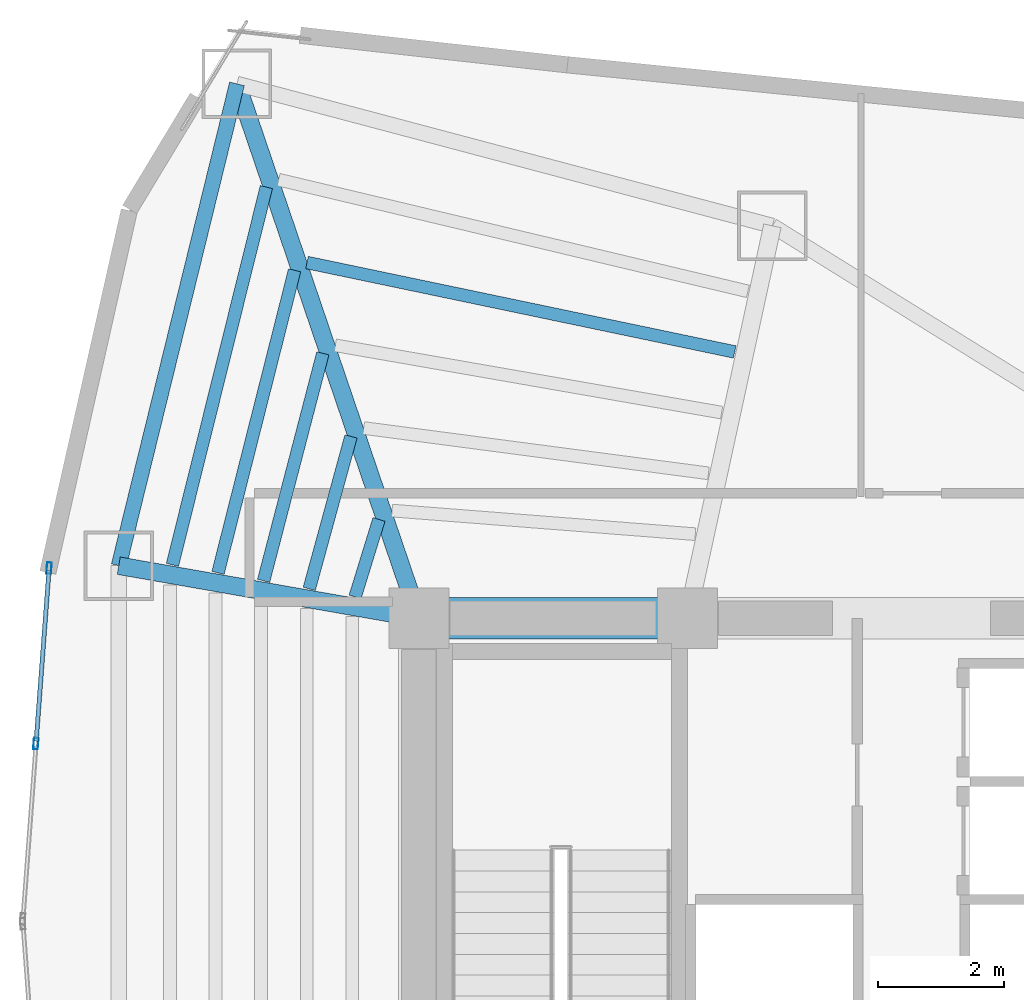
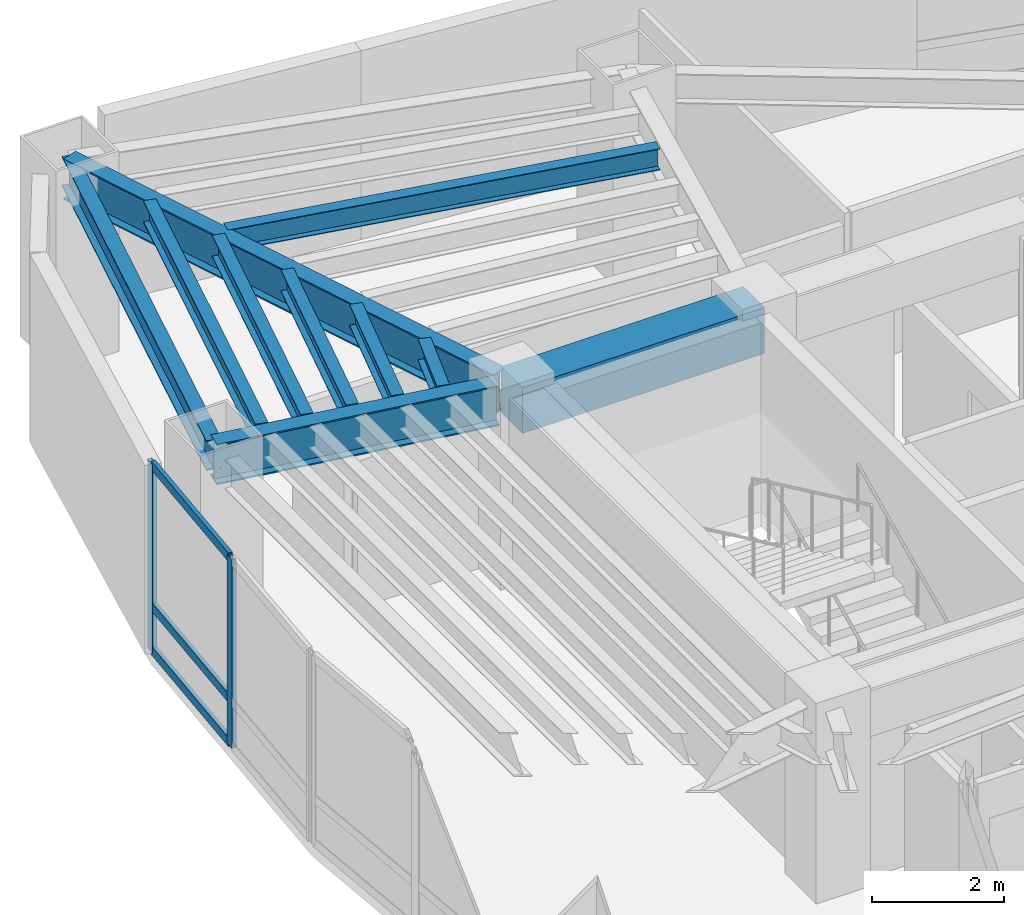
# One storey, part 7 of 17: 10 beams, 5 members, 1 element without a shape of its own.
"""IFC4 building model written with IfcOpenShell, lengths in metres."""

from ifc_helpers import new_model, si_unit, direction, frame, origin, origin_2d, place, context, subcontext, project, spatial, rectangle, hollow_rectangle, i_section, extrude, material, layer, layer_set, material_profile, profile_set, type_object, element, aggregate, save


model = new_model("IFC4")

# Units and contexts
model_context = context("Model", 3, precision=1e-05, world=origin(), true_north=direction((0.0, 1.0)))
body_context = subcontext(model_context, "Body", "Model", "MODEL_VIEW")
ifc_project = project(units=[si_unit("LENGTHUNIT", "METRE"), si_unit("AREAUNIT", "SQUARE_METRE"), si_unit("VOLUMEUNIT", "CUBIC_METRE"), si_unit("PLANEANGLEUNIT", "RADIAN"), si_unit("MASSUNIT", "GRAM", prefix="KILO")], contexts=[model_context])

# Site, building, storey
site_placement = place(None, origin())
site = spatial("IfcSite", under=ifc_project, at=site_placement, CompositionType="ELEMENT")
building_placement = place(site_placement, origin())
building = spatial("IfcBuilding", under=site, at=building_placement, Name="Menara Vayukalpa", CompositionType="ELEMENT")
storey_placement = place(building_placement, frame((0.0, 0.0, 154.320068359375)))
storey = spatial("IfcBuildingStorey", under=building, at=storey_placement, Name="L38", CompositionType="ELEMENT", Elevation=154.320068359375)

# Beams
ifc_material_1 = material(Name="Concrete C60/75", Category="concrete")
ifc_material_profile_1 = material_profile(ifc_material_1, rectangle(XDim=0.64990234375, YDim=0.85009765625, at=origin_2d()), Name="RC 650x850")
ifc_profile_set_1 = profile_set([ifc_material_profile_1], Name="Concrete C60/75")
beam_type_1 = type_object("IfcBeamType", Name="BM-CB1", PredefinedType="BEAM", material=ifc_profile_set_1)
beam_1_placement = place(storey_placement, frame((17.800048828125, 26.800048828125, 3.074951171875), z_axis=(1.0, 0.0, 0.0), x_axis=(0.0, 1.0, 0.0)))
element("IfcBeam", 1, at=beam_1_placement, inside=storey, type_object=beam_type_1, Name="L38 Core Tie Beam CBR4", PredefinedType="BEAM", context=body_context, shape_type="SweptSolid", body=[
    extrude(rectangle(XDim=0.64990234375, YDim=0.85009765625, at=origin_2d()), origin(), (0.0, 0.0, 1.0), 4.25),
])
ifc_material_2 = material(Name="Steel S355", Category="steel")
ifc_material_profile_2 = material_profile(ifc_material_2, i_section(OverallWidth=0.280029296875, OverallDepth=0.75, WebThickness=0.013916015625, FlangeThickness=0.02490234375, at=origin_2d()), Name="WF 750x280x14x25")
ifc_profile_set_2 = profile_set([ifc_material_profile_2], Name="Steel S355")
beam_type_2 = type_object("IfcBeamType", Name="BM-PG4", PredefinedType="BEAM", material=ifc_profile_set_2)
beam_2_placement = place(storey_placement, frame((17.719482421875, 27.03662109375, 3.125), z_axis=(-0.322207533072, 0.946669058136, 0.0), x_axis=(-0.946669058136, -0.322207533072, 0.0)))
element("IfcBeam", 2, at=beam_2_placement, inside=storey, type_object=beam_type_2, Name="L38 Primary Radial Girder RG04", PredefinedType="BEAM", context=body_context, shape_type="SweptSolid", body=[
    extrude(i_section(OverallWidth=0.280029296875, OverallDepth=0.75, WebThickness=0.013916015625, FlangeThickness=0.02490234375, at=origin_2d()), origin(), (0.0, 0.0, 1.0), 8.687255859375),
])
beam_3_placement = place(storey_placement, frame((17.5537109375, 26.843017578125, 3.125), z_axis=(-0.985011651805, 0.172487813505, 0.0), x_axis=(-0.172487813505, -0.985011651805, 0.0)))
element("IfcBeam", 3, at=beam_3_placement, inside=storey, type_object=beam_type_2, Name="L38 Primary Radial Girder RG05", PredefinedType="BEAM", context=body_context, shape_type="SweptSolid", body=[
    extrude(i_section(OverallWidth=0.280029296875, OverallDepth=0.75, WebThickness=0.013916015625, FlangeThickness=0.02490234375, at=origin_2d()), origin(), (0.0, 0.0, 1.0), 4.5732421875),
])
ifc_material_3 = material(Name="Steel S355", Category="steel")
ifc_material_profile_3 = material_profile(ifc_material_3, i_section(OverallWidth=0.199951171875, OverallDepth=0.39990234375, WebThickness=0.008056640625, FlangeThickness=0.012939453125, at=origin_2d()), Name="WF 400x200x8x13")
ifc_profile_set_3 = profile_set([ifc_material_profile_3], Name="Steel S355")
beam_type_3 = type_object("IfcBeamType", Name="BM-SJ2", PredefinedType="JOIST", material=ifc_profile_set_3)
beam_4_placement = place(storey_placement, frame((22.80029296875, 31.015625, 3.300048828125), z_axis=(-0.97882747282, 0.204687025611, 0.0), x_axis=(-0.204687025611, -0.97882747282, 0.0)))
element("IfcBeam", 4, at=beam_4_placement, inside=storey, type_object=beam_type_3, Name="L38 Secondary Floor Joist SJ03-4", PredefinedType="JOIST", context=body_context, shape_type="SweptSolid", body=[
    extrude(i_section(OverallWidth=0.199951171875, OverallDepth=0.39990234375, WebThickness=0.008056640625, FlangeThickness=0.012939453125, at=origin_2d()), origin(), (0.0, 0.0, 1.0), 6.91796875),
])
beam_5_placement = place(storey_placement, frame((17.16845703125, 28.364013671875, 3.300048828125), z_axis=(-0.294914687622, -0.955523587896, 0.0), x_axis=(0.955523587896, -0.294914687622, 0.0)))
element("IfcBeam", 5, at=beam_5_placement, inside=storey, type_object=beam_type_3, Name="L38 Secondary Floor Joist SJ04-1", PredefinedType="JOIST", context=body_context, shape_type="SweptSolid", body=[
    extrude(i_section(OverallWidth=0.199951171875, OverallDepth=0.39990234375, WebThickness=0.008056640625, FlangeThickness=0.012939453125, at=origin_2d()), origin(), (0.0, 0.0, 1.0), 1.283203125),
])
beam_6_placement = place(storey_placement, frame((16.7255859375, 29.678466796875, 3.300048828125), z_axis=(-0.264264990211, -0.96445011014, 0.0), x_axis=(0.96445011014, -0.264264990211, 0.0)))
element("IfcBeam", 6, at=beam_6_placement, inside=storey, type_object=beam_type_3, Name="L38 Secondary Floor Joist SJ04-2", PredefinedType="JOIST", context=body_context, shape_type="SweptSolid", body=[
    extrude(i_section(OverallWidth=0.199951171875, OverallDepth=0.39990234375, WebThickness=0.008056640625, FlangeThickness=0.012939453125, at=origin_2d()), origin(), (0.0, 0.0, 1.0), 2.501708984375),
])
beam_7_placement = place(storey_placement, frame((16.27978515625, 30.993896484375, 3.300048828125), z_axis=(-0.25203199701, -0.967718901584, 0.0), x_axis=(0.967718901584, -0.25203199701, 0.0)))
element("IfcBeam", 7, at=beam_7_placement, inside=storey, type_object=beam_type_3, Name="L38 Secondary Floor Joist SJ04-3", PredefinedType="JOIST", context=body_context, shape_type="SweptSolid", body=[
    extrude(i_section(OverallWidth=0.199951171875, OverallDepth=0.39990234375, WebThickness=0.008056640625, FlangeThickness=0.012939453125, at=origin_2d()), origin(), (0.0, 0.0, 1.0), 3.7216796875),
])
beam_8_placement = place(storey_placement, frame((15.8330078125, 32.309326171875, 3.300048828125), z_axis=(-0.245487100754, -0.969399857315, 0.0), x_axis=(0.969399857315, -0.245487100754, 0.0)))
element("IfcBeam", 8, at=beam_8_placement, inside=storey, type_object=beam_type_3, Name="L38 Secondary Floor Joist SJ04-4", PredefinedType="JOIST", context=body_context, shape_type="SweptSolid", body=[
    extrude(i_section(OverallWidth=0.199951171875, OverallDepth=0.39990234375, WebThickness=0.008056640625, FlangeThickness=0.012939453125, at=origin_2d()), origin(), (0.0, 0.0, 1.0), 4.941650390625),
])
beam_9_placement = place(storey_placement, frame((15.3857421875, 33.625, 3.300048828125), z_axis=(-0.241360851184, -0.970435438098, 0.0), x_axis=(0.970435438098, -0.241360851184, 0.0)))
element("IfcBeam", 9, at=beam_9_placement, inside=storey, type_object=beam_type_3, Name="L38 Secondary Floor Joist SJ04-5", PredefinedType="JOIST", context=body_context, shape_type="SweptSolid", body=[
    extrude(i_section(OverallWidth=0.199951171875, OverallDepth=0.39990234375, WebThickness=0.008056640625, FlangeThickness=0.012939453125, at=origin_2d()), origin(), (0.0, 0.0, 1.0), 6.162109375),
])
ifc_material_4 = material(Name="Steel S355", Category="steel")
ifc_material_profile_4 = material_profile(ifc_material_4, i_section(OverallWidth=0.239990234375, OverallDepth=0.550048828125, WebThickness=0.010986328125, FlangeThickness=0.01904296875, at=origin_2d()), Name="WF 550x240x11x19")
ifc_profile_set_4 = profile_set([ifc_material_profile_4], Name="Steel S355")
beam_type_4 = type_object("IfcBeamType", Name="BM-SP2", PredefinedType="SPANDREL", material=ifc_profile_set_4)
beam_10_placement = place(storey_placement, frame((14.92041015625, 35.260498046875, 3.224853515625), z_axis=(-0.238240335346, -0.971206230733, 0.0), x_axis=(0.971206230733, -0.238240335346, 0.0)))
element("IfcBeam", 10, at=beam_10_placement, inside=storey, type_object=beam_type_4, Name="L38 Perimeter Spandrel Beam SP04", PredefinedType="SPANDREL", context=body_context, shape_type="SweptSolid", body=[
    extrude(i_section(OverallWidth=0.239990234375, OverallDepth=0.550048828125, WebThickness=0.010986328125, FlangeThickness=0.01904296875, at=origin_2d()), origin(), (0.0, 0.0, 1.0), 7.854736328125),
])

# Curtain wall, members
ifc_material_5 = material(Name="Anodised Terracotta Aluminium Alloy 6063-T6", Category="masonry")
ifc_layer = layer(ifc_material_5, 0.179931640625)
ifc_layer_set = layer_set([ifc_layer], Name="Anodised Terracotta Aluminium Alloy 6063-T6")
curtain_wall_type = type_object("IfcCurtainWallType", Name="CW-CW4", PredefinedType="USERDEFINED", material=ifc_layer_set)
curtain_wall_placement = place(storey_placement, origin())
curtain_wall = element("IfcCurtainWall", 11, at=curtain_wall_placement, inside=storey, type_object=curtain_wall_type, Name="L38 Sky Bar Cantilever Glazed Curtain Wall CW4 10", ObjectType="UNITISED", PredefinedType="USERDEFINED")
ifc_material_6 = material(Name="Anodised Terracotta Aluminium Alloy 6063-T6", Category="masonry")
ifc_material_profile_5 = material_profile(ifc_material_6, hollow_rectangle(XDim=0.074951171875, YDim=0.179931640625, WallThickness=0.00390625, at=origin_2d()), Name="ALU 75x180x4")
ifc_profile_set_5 = profile_set([ifc_material_profile_5], Name="Anodised Terracotta Aluminium Alloy 6063-T6")
member_type_1 = type_object("IfcMemberType", Name="CWM-CW4", PredefinedType="MULLION", material=ifc_profile_set_5)
member_1_placement = place(storey_placement, frame((11.9462890625, 27.594482421875, 0.0), z_axis=(0.0, 0.0, 1.0), x_axis=(0.997199111801, -0.074792589364, 0.0)))
member_1 = element("IfcMember", 12, at=member_1_placement, type_object=member_type_1, Name="CW4 mullion 1", PredefinedType="MULLION", context=body_context, shape_type="SweptSolid", body=[
    extrude(hollow_rectangle(XDim=0.074951171875, YDim=0.179931640625, WallThickness=0.00390625, at=origin_2d()), origin(), (0.0, 0.0, 1.0), 3.5),
])
member_2_placement = place(storey_placement, frame((11.73779296875, 24.81591796875, 0.0), z_axis=(0.0, 0.0, 1.0), x_axis=(0.997199111801, -0.074792589364, 0.0)))
member_2 = element("IfcMember", 13, at=member_2_placement, type_object=member_type_1, Name="CW4 mullion 2", PredefinedType="MULLION", context=body_context, shape_type="SweptSolid", body=[
    extrude(hollow_rectangle(XDim=0.074951171875, YDim=0.179931640625, WallThickness=0.00390625, at=origin_2d()), origin(), (0.0, 0.0, 1.0), 3.5),
])
ifc_material_7 = material(Name="Anodised Terracotta Aluminium Alloy 6063-T6", Category="masonry")
ifc_material_profile_6 = material_profile(ifc_material_7, hollow_rectangle(XDim=0.070068359375, YDim=0.1650390625, WallThickness=0.00390625, at=origin_2d()), Name="ALU 70x165x4")
ifc_profile_set_6 = profile_set([ifc_material_profile_6], Name="Anodised Terracotta Aluminium Alloy 6063-T6")
member_type_2 = type_object("IfcMemberType", Name="CWT-CW4", PredefinedType="USERDEFINED", material=ifc_profile_set_6)
member_3_placement = place(storey_placement, frame((11.943603515625, 27.55712890625, 0.034912109375), z_axis=(-0.074823524461, -0.997196791104, 0.0), x_axis=(0.997196791104, -0.074823524461, 0.0)))
member_3 = element("IfcMember", 14, at=member_3_placement, type_object=member_type_2, Name="CW4 transom 1.1", ObjectType="TRANSOM", PredefinedType="USERDEFINED", context=body_context, shape_type="SweptSolid", body=[
    extrude(hollow_rectangle(XDim=0.070068359375, YDim=0.1650390625, WallThickness=0.00390625, at=origin_2d()), origin(), (0.0, 0.0, 1.0), 2.71142578125),
])
member_4_placement = place(storey_placement, frame((11.943603515625, 27.55712890625, 0.849853515625), z_axis=(-0.074823524461, -0.997196791104, 0.0), x_axis=(0.997196791104, -0.074823524461, 0.0)))
member_4 = element("IfcMember", 15, at=member_4_placement, type_object=member_type_2, Name="CW4 transom 1.2", ObjectType="TRANSOM", PredefinedType="USERDEFINED", context=body_context, shape_type="SweptSolid", body=[
    extrude(hollow_rectangle(XDim=0.070068359375, YDim=0.1650390625, WallThickness=0.00390625, at=origin_2d()), origin(), (0.0, 0.0, 1.0), 2.71142578125),
])
member_5_placement = place(storey_placement, frame((11.943603515625, 27.55712890625, 3.46484375), z_axis=(-0.074823524461, -0.997196791104, 0.0), x_axis=(0.997196791104, -0.074823524461, 0.0)))
member_5 = element("IfcMember", 16, at=member_5_placement, type_object=member_type_2, Name="CW4 transom 1.3", ObjectType="TRANSOM", PredefinedType="USERDEFINED", context=body_context, shape_type="SweptSolid", body=[
    extrude(hollow_rectangle(XDim=0.070068359375, YDim=0.1650390625, WallThickness=0.00390625, at=origin_2d()), origin(), (0.0, 0.0, 1.0), 2.71142578125),
])
aggregate(curtain_wall, [member_1, member_2, member_3, member_4, member_5])

save(model, "model.ifc")
